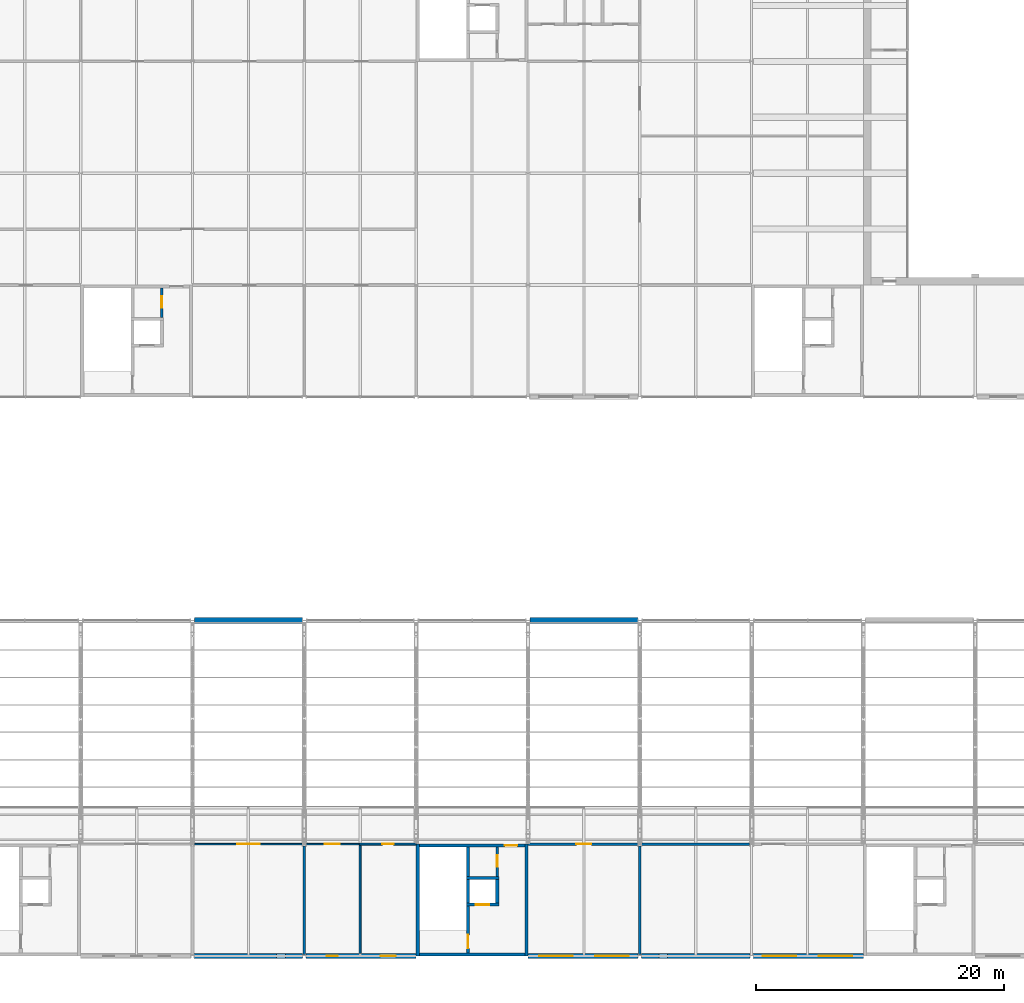
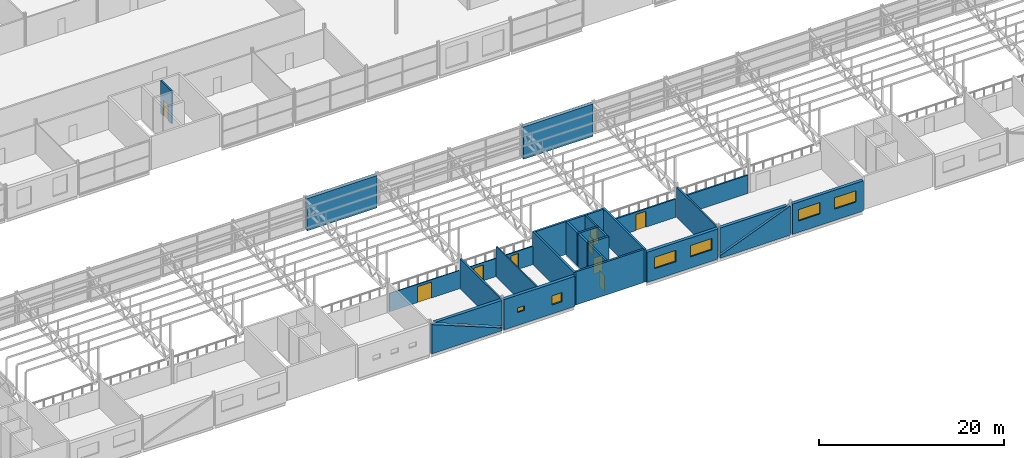
# One storey, part 115 of 138: 27 walls, 9 doors, 6 windows, 15 openings.
"""IFC4 building model written with IfcOpenShell, lengths in metres."""

import ifcopenshell
import ifcopenshell.guid

model = None  # the IFC model being written
_history = None  # IfcOwnerHistory: only IFC2X3 demands one
_inside = {}  # id of a spatial element -> (the spatial element, [elements in it])
_under = {}  # id of a project, library or spatial element -> (it, [spatial elements below it])
_declared = {}  # id of a project -> (the project, [libraries it declares])
_typed = {}  # id of a type object -> (the type object, [elements of that type])
_made_of = {}  # id of a material, layer set ... -> (it, [elements and type objects made of it])


def new_model(schema):
    """Start an empty IFC model of exactly this schema.

    Asked for "IFC4X3", IfcOpenShell would pick the latest addendum, in which some entities
    have other attributes; the version numbers below select the first issue.
    IFC2X3 requires an IfcOwnerHistory on every rooted entity: one is made here for all.
    """
    global model, _history
    if schema == "IFC4X3":
        model = ifcopenshell.file(schema_version=(4, 3, 0, 0))
    else:
        model = ifcopenshell.file(schema=schema)
    _inside.clear()
    _under.clear()
    _declared.clear()
    _typed.clear()
    _made_of.clear()
    _history = None
    if model.schema == "IFC2X3":
        org = make("IfcOrganization", Name="unknown")
        user = make(
            "IfcPersonAndOrganization",
            ThePerson=make("IfcPerson", FamilyName="unknown"),
            TheOrganization=org,
        )
        app = make(
            "IfcApplication",
            ApplicationDeveloper=org,
            Version="unknown",
            ApplicationFullName="unknown",
            ApplicationIdentifier="unknown",
        )
        _history = make(
            "IfcOwnerHistory",
            OwningUser=user,
            OwningApplication=app,
            ChangeAction="ADDED",
            CreationDate=0,
        )
    return model


def make(cls, **values):
    """One entity of the class cls with the attributes given. An attribute that is None is left unset."""
    return model.create_entity(
        cls, **{name: value for name, value in values.items() if value is not None}
    )


def rooted(cls, **values):
    """An entity with a GlobalId (a new one), such as an element, a storey or a relation."""
    return make(cls, GlobalId=ifcopenshell.guid.new(), OwnerHistory=_history, **values)


def si_unit(unit_type, name, prefix=None):
    """IfcSIUnit, for example si_unit("LENGTHUNIT", "METRE", prefix="MILLI")."""
    return make("IfcSIUnit", UnitType=unit_type, Prefix=prefix, Name=name)


def assignment(units):
    """IfcUnitAssignment: the units of a project."""
    return None if units is None else make("IfcUnitAssignment", Units=units)


def point(xyz):
    """IfcCartesianPoint."""
    return None if xyz is None else make("IfcCartesianPoint", Coordinates=xyz)


def direction(xyz):
    """IfcDirection."""
    return None if xyz is None else make("IfcDirection", DirectionRatios=xyz)


def frame(location, z_axis=None, x_axis=None):
    """IfcAxis2Placement3D, a coordinate frame: its origin and axes. An axis left out is left unset."""
    return make(
        "IfcAxis2Placement3D",
        Location=point(location),
        Axis=direction(z_axis),
        RefDirection=direction(x_axis),
    )


def frame_2d(location, x_axis=None):
    """IfcAxis2Placement2D, a coordinate frame in the plane: its origin and x axis."""
    return make(
        "IfcAxis2Placement2D", Location=point(location), RefDirection=direction(x_axis)
    )


def origin():
    """The frame at (0, 0, 0) with its axes left unset."""
    return frame((0.0, 0.0, 0.0))


def place(relative_to, where):
    """IfcLocalPlacement: puts the frame where relative to a parent placement (None: the world)."""
    return make(
        "IfcLocalPlacement", PlacementRelTo=relative_to, RelativePlacement=where
    )


def context(
    kind, dimensions, precision=None, world=None, true_north=None, identifier=None
):
    """IfcGeometricRepresentationContext, for example the 3D "Model" context."""
    return make(
        "IfcGeometricRepresentationContext",
        ContextIdentifier=identifier,
        ContextType=kind,
        CoordinateSpaceDimension=dimensions,
        Precision=precision,
        WorldCoordinateSystem=world,
        TrueNorth=true_north,
    )


def subcontext(parent, identifier, kind, view, scale=None):
    """IfcGeometricRepresentationSubContext, for example "Body" below "Model"."""
    return make(
        "IfcGeometricRepresentationSubContext",
        ContextIdentifier=identifier,
        ContextType=kind,
        ParentContext=parent,
        TargetScale=scale,
        TargetView=view,
    )


def project(units=None, contexts=None):
    """IfcProject with its units and contexts."""
    return rooted(
        "IfcProject",
        Name="project",
        RepresentationContexts=contexts,
        UnitsInContext=assignment(units),
    )


def spatial(cls, under=None, at=None, **own):
    """A site, building, storey or space (cls), placed at a placement, below another one or the project."""
    s = rooted(cls, ObjectPlacement=at, **own)
    if under is not None:
        _under.setdefault(under.id(), (under, []))[1].append(s)
    return s


def polyline(points):
    """IfcPolyline through the points."""
    return make("IfcPolyline", Points=[point(p) for p in points])


def profile(cls, at=None, kind="AREA", **sizes):
    """A parametric profile (cls). Its sizes go by their IFC names, for example OverallWidth=200.0."""
    return make(cls, ProfileType=kind, Position=at, **sizes)


def rectangle(**sizes):
    """IfcRectangleProfileDef."""
    return profile("IfcRectangleProfileDef", **sizes)


def outline(outer, holes=None, kind="AREA"):
    """IfcArbitraryClosedProfileDef: a profile drawn as a closed curve; with holes, ...WithVoids."""
    if holes is None:
        return make("IfcArbitraryClosedProfileDef", ProfileType=kind, OuterCurve=outer)
    return make(
        "IfcArbitraryProfileDefWithVoids",
        ProfileType=kind,
        OuterCurve=outer,
        InnerCurves=holes,
    )


def extrude(swept, where, along, depth):
    """IfcExtrudedAreaSolid: the profile swept, set in the frame where, extruded along a direction by depth."""
    return make(
        "IfcExtrudedAreaSolid",
        SweptArea=swept,
        Position=where,
        ExtrudedDirection=direction(along),
        Depth=depth,
    )


def shape(context_of_items, identifier, shape_type, items):
    """IfcShapeRepresentation: the items that make up one representation, for example the "Body"."""
    return make(
        "IfcShapeRepresentation",
        ContextOfItems=context_of_items,
        RepresentationIdentifier=identifier,
        RepresentationType=shape_type,
        Items=items,
    )


def material(Name=None, Category=None):
    """IfcMaterial."""
    return make("IfcMaterial", Name=Name, Category=Category)


def layer(
    of_material, thickness, ventilated=None, Name=None, Category=None, Priority=None
):
    """IfcMaterialLayer: one layer of a wall or slab, of a material (None: an air gap)."""
    return make(
        "IfcMaterialLayer",
        Material=of_material,
        LayerThickness=thickness,
        IsVentilated=ventilated,
        Name=Name,
        Category=Category,
        Priority=Priority,
    )


def layer_set(layers, Name=None):
    """IfcMaterialLayerSet."""
    return make("IfcMaterialLayerSet", MaterialLayers=layers, LayerSetName=Name)


def made_of(thing, what):
    """Note that an element or type object is made of a material, layer set ...; save() writes the relation."""
    if what is not None:
        _made_of.setdefault(what.id(), (what, []))[1].append(thing)
    return thing


def type_object(cls, material=None, **own):
    """A type object (cls), such as IfcWallType, which elements share."""
    return made_of(rooted(cls, **own), material)


def element(
    cls,
    number,
    at=None,
    inside=None,
    cuts=None,
    type_object=None,
    material=None,
    context=None,
    identifier="Body",
    shape_type=None,
    held_by="IfcProductDefinitionShape",
    body=None,
    shapes=None,
    **own,
):
    """One element of the class cls, such as IfcWall. Its Tag is "e" and its number.

    at: its placement. inside: the storey or other place that contains it. cuts: it is an
    opening in that element (IfcRelVoidsElement). A single representation is given by context,
    identifier, shape_type and body (its items); several are given by shapes. held_by: the class
    of the entity that holds the representations. save() writes the other relations.
    """
    e = rooted(cls, Tag="e%d" % number, ObjectPlacement=at, **own)
    if body is not None:
        shapes = [shape(context, identifier, shape_type, body)]
    if shapes is not None:
        e.Representation = make(held_by, Representations=shapes)
    if inside is not None:
        _inside.setdefault(inside.id(), (inside, []))[1].append(e)
    if cuts is not None:
        rooted(
            "IfcRelVoidsElement", RelatingBuildingElement=cuts, RelatedOpeningElement=e
        )
    if type_object is not None:
        _typed.setdefault(type_object.id(), (type_object, []))[1].append(e)
    return made_of(e, material)


def fill(opening, filler):
    """IfcRelFillsElement: the door or window that sits in an opening."""
    return rooted(
        "IfcRelFillsElement",
        RelatingOpeningElement=opening,
        RelatedBuildingElement=filler,
    )


def aggregate(whole, parts):
    """IfcRelAggregates: a whole, such as a stair, and the parts it consists of."""
    return rooted("IfcRelAggregates", RelatingObject=whole, RelatedObjects=parts)


def save(model, path):
    """Write the relations noted so far, then the file.

    IfcRelAggregates (storeys below a building ...), IfcRelContainedInSpatialStructure (elements
    in a storey), IfcRelDefinesByType, IfcRelAssociatesMaterial and IfcRelDeclares: one each for
    every whole, place, type object, material and project.
    """
    for whole, parts in _under.values():
        aggregate(whole, parts)
    for where, things in _inside.values():
        rooted(
            "IfcRelContainedInSpatialStructure",
            RelatedElements=things,
            RelatingStructure=where,
        )
    for kind, things in _typed.values():
        rooted("IfcRelDefinesByType", RelatedObjects=things, RelatingType=kind)
    for what, things in _made_of.values():
        rooted("IfcRelAssociatesMaterial", RelatedObjects=things, RelatingMaterial=what)
    for by, libraries in _declared.values():
        rooted("IfcRelDeclares", RelatingContext=by, RelatedDefinitions=libraries)
    model.write(path)


model = new_model("IFC4")

# Units and contexts
model_context = context("Model", 3, precision=1e-05, world=origin(), true_north=direction((0.0, 1.0)))
body_context = subcontext(model_context, "Body", "Model", "MODEL_VIEW")
ifc_project = project(units=[si_unit("LENGTHUNIT", "METRE"), si_unit("AREAUNIT", "SQUARE_METRE"), si_unit("VOLUMEUNIT", "CUBIC_METRE"), si_unit("PLANEANGLEUNIT", "RADIAN"), si_unit("MASSUNIT", "GRAM", prefix="KILO")], contexts=[model_context])

# Site, building, storey
site_placement = place(None, origin())
site = spatial("IfcSite", under=ifc_project, at=site_placement, CompositionType="ELEMENT")
building_placement = place(site_placement, origin())
building = spatial("IfcBuilding", under=site, at=building_placement, Name="Corbel Yard City Hall", CompositionType="ELEMENT")
storey_placement = place(building_placement, frame((0.0, 0.0, 10.5)))
storey = spatial("IfcBuildingStorey", under=building, at=storey_placement, Name="L02", CompositionType="ELEMENT", Elevation=10.5)

# Walls
ifc_material_1 = material(Name="Concrete N50 (50 MPa)", Category="concrete")
ifc_layer_1 = layer(ifc_material_1, 0.25)
ifc_layer_set_1 = layer_set([ifc_layer_1], Name="Concrete N50 (50 MPa)")
wall_type_1 = type_object("IfcWallType", Name="Core cell wall 250", PredefinedType="SHEAR", material=ifc_layer_set_1)
for number, where, z_axis, x_axis, name in (
    (1, (81.125, 0.0, 0.0), (0.0, 0.0, 1.0), (0.0, 1.0, 0.0), "Core PC-S2 west wall"),
    (2, (89.875, 0.0, 0.0), (0.0, 0.0, 1.0), (0.0, 1.0, 0.0), "Core PC-S2 east wall"),
):
    element("IfcWall", number, at=place(storey_placement, frame(where, z_axis=z_axis, x_axis=x_axis)), inside=storey, type_object=wall_type_1, Name=name, PredefinedType="SHEAR", context=body_context, shape_type="SweptSolid", body=[
        extrude(rectangle(XDim=9.0, YDim=0.25, at=frame_2d((4.5, 0.0))), origin(), (0.0, 0.0, 1.0), 4.35009765625),
    ])
wall_1_placement = place(storey_placement, frame((81.25, 0.125, 0.0), z_axis=(0.0, 0.0, 1.0), x_axis=(1.0, 0.0, 0.0)))
element("IfcWall", 3, at=wall_1_placement, inside=storey, type_object=wall_type_1, Name="Core PC-S2 south wall", PredefinedType="SHEAR", context=body_context, shape_type="SweptSolid", body=[
    extrude(rectangle(XDim=8.5, YDim=0.25, at=frame_2d((4.25, 0.0))), origin(), (0.0, 0.0, 1.0), 4.35009765625),
])

# Wall, opening, door
wall_2_placement = place(storey_placement, frame((81.25, 8.875, 0.0), z_axis=(0.0, 0.0, 1.0), x_axis=(1.0, 0.0, 0.0)))
wall_2 = element("IfcWall", 4, at=wall_2_placement, inside=storey, type_object=wall_type_1, Name="Core PC-S2 north wall", PredefinedType="SHEAR", context=body_context, shape_type="SweptSolid", body=[
    extrude(rectangle(XDim=8.5, YDim=0.25, at=frame_2d((4.25, 0.0))), origin(), (0.0, 0.0, 1.0), 4.35009765625),
])
opening_1_placement = place(wall_2_placement, frame((6.887451171875, 0.0, 0.0)))
opening_1 = element("IfcOpeningElement", 5, at=opening_1_placement, cuts=wall_2, Name="Opening L02-021", PredefinedType="OPENING", context=body_context, shape_type="SweptSolid", body=[
    extrude(rectangle(XDim=1.0, YDim=2.10009765625, at=frame_2d((0.5, 1.050048828125))), frame((0.0, 0.135009765625, 0.0), z_axis=(0.0, -1.0, 0.0), x_axis=(1.0, 0.0, 0.0)), (0.0, 0.0, 1.0), 0.27001953125),
])
ifc_material_2 = material(Name="Steel Grade G250", Category="steel")
door_type_1 = type_object("IfcDoorType", Name="FS1", OperationType="SINGLE_SWING_LEFT", PredefinedType="DOOR", material=ifc_material_2)
door_1_placement = place(opening_1_placement, frame((1.0, 0.0, 0.0), z_axis=(0.0, 0.0, 1.0), x_axis=(-1.0, 0.0, 0.0)))
door_1 = element("IfcDoor", 6, at=door_1_placement, inside=storey, type_object=door_type_1, Name="Door Lift Lobby", OperationType="SINGLE_SWING_RIGHT", OverallHeight=2.10009765625, OverallWidth=1.0, PredefinedType="DOOR", context=body_context, shape_type="SweptSolid", body=[
    extrude(rectangle(XDim=1.0, YDim=2.10009765625, at=frame_2d((0.5, 1.050048828125))), frame((0.0, 0.02490234375, 0.0), z_axis=(0.0, -1.0, 0.0), x_axis=(1.0, 0.0, 0.0)), (0.0, 0.0, 1.0), 0.050048828125),
])
fill(opening_1, door_1)

# Walls
ifc_material_3 = material(Name="Sandstone cladding", Category="masonry")
ifc_layer_2 = layer(ifc_material_3, 0.06005859375)
ifc_material_4 = material(Name="Air cavity", Category="air")
ifc_layer_3 = layer(ifc_material_4, 0.0400390625)
ifc_material_5 = material(Name="Concrete N40 (40 MPa)", Category="concrete")
ifc_layer_4 = layer(ifc_material_5, 0.25)
ifc_material_6 = material(Name="Mineral wool", Category="insulation")
ifc_layer_5 = layer(ifc_material_6, 0.10009765625)
ifc_layer_set_2 = layer_set([ifc_layer_2, ifc_layer_3, ifc_layer_4, ifc_layer_5], Name="Concrete N40 (40 MPa)")
wall_type_2 = type_object("IfcWallType", Name="EW2", PredefinedType="SOLIDWALL", material=ifc_layer_set_2)
for number, where, z_axis, x_axis, name in (
    (7, (63.154052734375, 27.0, -0.14990234375), (0.0, 0.0, 1.0), (1.0, 0.0, 0.0), "Entrance pier wall"),
    (8, (90.154052734375, 27.0, -0.14990234375), (0.0, 0.0, 1.0), (1.0, 0.0, 0.0), "Entrance pier wall"),
):
    element("IfcWall", number, at=place(storey_placement, frame(where, z_axis=z_axis, x_axis=x_axis)), inside=storey, type_object=wall_type_2, Name=name, PredefinedType="SOLIDWALL", context=body_context, shape_type="SweptSolid", body=[
        extrude(rectangle(XDim=8.69189453125, YDim=0.449951171875, at=frame_2d((4.345947265625, 0.0))), origin(), (0.0, 0.0, 1.0), 4.271484375),
    ])
ifc_material_7 = material(Name="Gypsum plasterboard", Category="gypsum")
ifc_layer_6 = layer(ifc_material_7, 0.031982421875)
ifc_layer_7 = layer(ifc_material_4, 0.133056640625)
ifc_material_8 = material(Name="Concrete block", Category="concrete")
ifc_layer_8 = layer(ifc_material_8, 0.18994140625)
ifc_material_9 = material(Name="Cement render", Category="render")
ifc_layer_9 = layer(ifc_material_9, 0.0400390625)
ifc_material_10 = material(Name="Acoustic sealant", Category="sealant")
ifc_layer_10 = layer(ifc_material_10, 0.0048828125)
ifc_layer_set_3 = layer_set([ifc_layer_6, ifc_layer_7, ifc_layer_8, ifc_layer_9, ifc_layer_10], Name="Concrete block")
wall_type_3 = type_object("IfcWallType", Name="EW3", PredefinedType="SOLIDWALL", material=ifc_layer_set_3)
wall_3_placement = place(storey_placement, frame((63.126953125, 0.0, 0.0), z_axis=(0.0, 0.0, 1.0), x_axis=(1.0, 0.0, 0.0)))
element("IfcWall", 9, at=wall_3_placement, inside=storey, type_object=wall_type_3, Name="Acoustic wall", PredefinedType="SOLIDWALL", context=body_context, shape_type="SweptSolid", body=[
    extrude(outline(polyline([(8.74609375, 0.0), (0.0, 0.0), (0.0, 3.8603515625), (8.69775390625, 0.379638671875), (8.74609375, 0.5), (8.74609375, 0.0)])), frame((0.0, 0.199951171875, 0.0), z_axis=(0.0, -1.0, 0.0), x_axis=(1.0, 0.0, 0.0)), (0.0, 0.0, 1.0), 0.39990234375),
])
wall_4_placement = place(storey_placement, frame((63.126953125, 0.0, 0.0), z_axis=(0.0, 0.0, 1.0), x_axis=(1.0, 0.0, 0.0)))
element("IfcWall", 10, at=wall_4_placement, inside=storey, type_object=wall_type_3, Name="Acoustic wall", PredefinedType="SOLIDWALL", context=body_context, shape_type="SweptSolid", body=[
    extrude(outline(polyline([(8.74609375, 3.990966796875), (8.74609375, 0.6396484375), (0.37109375, 3.990966796875), (8.74609375, 3.990966796875)])), frame((0.0, 0.199951171875, 0.0), z_axis=(0.0, -1.0, 0.0), x_axis=(1.0, 0.0, 0.0)), (0.0, 0.0, 1.0), 0.39990234375),
])

# Wall, openings, windows
wall_5_placement = place(storey_placement, frame((72.126953125, 0.0, 0.0), z_axis=(0.0, 0.0, 1.0), x_axis=(1.0, 0.0, 0.0)))
wall_5 = element("IfcWall", 11, at=wall_5_placement, inside=storey, type_object=wall_type_3, Name="Acoustic wall", PredefinedType="SOLIDWALL", context=body_context, shape_type="SweptSolid", body=[
    extrude(rectangle(XDim=8.873046875, YDim=0.39990234375, at=frame_2d((4.4365234375, 0.0))), origin(), (0.0, 0.0, 1.0), 3.990966796875),
])
opening_2_placement = place(wall_5_placement, frame((1.673095703125, 0.0, 1.699951171875)))
opening_2 = element("IfcOpeningElement", 12, at=opening_2_placement, cuts=wall_5, Name="Opening WN10", PredefinedType="OPENING", context=body_context, shape_type="SweptSolid", body=[
    extrude(rectangle(XDim=0.89990234375, YDim=0.60009765625, at=frame_2d((0.449951171875, 0.300048828125))), frame((0.0, 0.2099609375, 0.0), z_axis=(0.0, -1.0, 0.0), x_axis=(1.0, 0.0, 0.0)), (0.0, 0.0, 1.0), 0.419921875),
])
opening_3_placement = place(wall_5_placement, frame((6.02294921875, 0.0, 1.199951171875)))
opening_3 = element("IfcOpeningElement", 13, at=opening_3_placement, cuts=wall_5, Name="Opening WN13", PredefinedType="OPENING", context=body_context, shape_type="SweptSolid", body=[
    extrude(rectangle(XDim=1.199951171875, YDim=1.199951171875, at=frame_2d((0.60009765625, 0.60009765625))), frame((0.0, 0.2099609375, 0.0), z_axis=(0.0, -1.0, 0.0), x_axis=(1.0, 0.0, 0.0)), (0.0, 0.0, 1.0), 0.419921875),
])
ifc_material_11 = material(Name="Aluminium frame, obscure laminated glass", Category="aluminium")
window_type_1 = type_object("IfcWindowType", Name="WN10", PartitioningType="SINGLE_PANEL", PredefinedType="WINDOW", material=ifc_material_11)
window_1_placement = place(opening_2_placement, origin())
window_1 = element("IfcWindow", 14, at=window_1_placement, inside=storey, type_object=window_type_1, Name="Window WN10 L02", OverallHeight=0.60009765625, OverallWidth=0.89990234375, PartitioningType="SINGLE_PANEL", PredefinedType="WINDOW", context=body_context, shape_type="SweptSolid", body=[
    extrude(rectangle(XDim=0.89990234375, YDim=0.60009765625, at=frame_2d((0.449951171875, 0.300048828125))), frame((0.0, 0.030029296875, 0.0), z_axis=(0.0, -1.0, 0.0), x_axis=(1.0, 0.0, 0.0)), (0.0, 0.0, 1.0), 0.06005859375),
])
fill(opening_2, window_1)
ifc_material_12 = material(Name="Aluminium frame, double glazed low-e glass", Category="aluminium")
window_type_2 = type_object("IfcWindowType", Name="WN13", PartitioningType="SINGLE_PANEL", PredefinedType="WINDOW", material=ifc_material_12)
window_2_placement = place(opening_3_placement, origin())
window_2 = element("IfcWindow", 15, at=window_2_placement, inside=storey, type_object=window_type_2, Name="Window WN13 L02", OverallHeight=1.199951171875, OverallWidth=1.199951171875, PartitioningType="SINGLE_PANEL", PredefinedType="WINDOW", context=body_context, shape_type="SweptSolid", body=[
    extrude(rectangle(XDim=1.199951171875, YDim=1.199951171875, at=frame_2d((0.60009765625, 0.60009765625))), frame((0.0, 0.030029296875, 0.0), z_axis=(0.0, -1.0, 0.0), x_axis=(1.0, 0.0, 0.0)), (0.0, 0.0, 1.0), 0.06005859375),
])
fill(opening_3, window_2)

wall_6_placement = place(storey_placement, frame((90.0, 0.0, 0.0), z_axis=(0.0, 0.0, 1.0), x_axis=(1.0, 0.0, 0.0)))
wall_6 = element("IfcWall", 16, at=wall_6_placement, inside=storey, type_object=wall_type_3, Name="Acoustic wall", PredefinedType="SOLIDWALL", context=body_context, shape_type="SweptSolid", body=[
    extrude(rectangle(XDim=8.873046875, YDim=0.39990234375, at=frame_2d((4.4365234375, 0.0))), origin(), (0.0, 0.0, 1.0), 3.990966796875),
])
opening_4_placement = place(wall_6_placement, frame((0.89990234375, 0.0, 1.5)))
opening_4 = element("IfcOpeningElement", 17, at=opening_4_placement, cuts=wall_6, Name="Opening WN3", PredefinedType="OPENING", context=body_context, shape_type="SweptSolid", body=[
    extrude(rectangle(XDim=2.699951171875, YDim=1.5, at=frame_2d((1.35009765625, 0.75))), frame((0.0, 0.2099609375, 0.0), z_axis=(0.0, -1.0, 0.0), x_axis=(1.0, 0.0, 0.0)), (0.0, 0.0, 1.0), 0.419921875),
])
opening_5_placement = place(wall_6_placement, frame((5.39990234375, 0.0, 1.5)))
opening_5 = element("IfcOpeningElement", 18, at=opening_5_placement, cuts=wall_6, Name="Opening WN3", PredefinedType="OPENING", context=body_context, shape_type="SweptSolid", body=[
    extrude(rectangle(XDim=2.699951171875, YDim=1.5, at=frame_2d((1.35009765625, 0.75))), frame((0.0, 0.2099609375, 0.0), z_axis=(0.0, -1.0, 0.0), x_axis=(1.0, 0.0, 0.0)), (0.0, 0.0, 1.0), 0.419921875),
])
ifc_material_13 = material(Name="Aluminium frame, laminated acoustic glass", Category="aluminium")
window_type_3 = type_object("IfcWindowType", Name="WN3", PartitioningType="SINGLE_PANEL", PredefinedType="WINDOW", material=ifc_material_13)
window_3_placement = place(opening_4_placement, origin())
window_3 = element("IfcWindow", 19, at=window_3_placement, inside=storey, type_object=window_type_3, Name="Window WN3 L02", OverallHeight=1.5, OverallWidth=2.699951171875, PartitioningType="SINGLE_PANEL", PredefinedType="WINDOW", context=body_context, shape_type="SweptSolid", body=[
    extrude(rectangle(XDim=2.699951171875, YDim=1.5, at=frame_2d((1.35009765625, 0.75))), frame((0.0, 0.030029296875, 0.0), z_axis=(0.0, -1.0, 0.0), x_axis=(1.0, 0.0, 0.0)), (0.0, 0.0, 1.0), 0.06005859375),
])
fill(opening_4, window_3)
window_4_placement = place(opening_5_placement, origin())
window_4 = element("IfcWindow", 20, at=window_4_placement, inside=storey, type_object=window_type_3, Name="Window WN3 L02", OverallHeight=1.5, OverallWidth=2.699951171875, PartitioningType="SINGLE_PANEL", PredefinedType="WINDOW", context=body_context, shape_type="SweptSolid", body=[
    extrude(rectangle(XDim=2.699951171875, YDim=1.5, at=frame_2d((1.35009765625, 0.75))), frame((0.0, 0.030029296875, 0.0), z_axis=(0.0, -1.0, 0.0), x_axis=(1.0, 0.0, 0.0)), (0.0, 0.0, 1.0), 0.06005859375),
])
fill(opening_5, window_4)

# Walls
wall_7_placement = place(storey_placement, frame((99.126953125, 0.0, 0.0), z_axis=(0.0, 0.0, 1.0), x_axis=(1.0, 0.0, 0.0)))
element("IfcWall", 21, at=wall_7_placement, inside=storey, type_object=wall_type_3, Name="Acoustic wall", PredefinedType="SOLIDWALL", context=body_context, shape_type="SweptSolid", body=[
    extrude(outline(polyline([(8.74609375, 0.0), (0.0, 0.0), (0.0, 0.5), (0.048095703125, 0.379638671875), (8.74609375, 3.8603515625), (8.74609375, 0.0)])), frame((0.0, 0.199951171875, 0.0), z_axis=(0.0, -1.0, 0.0), x_axis=(1.0, 0.0, 0.0)), (0.0, 0.0, 1.0), 0.39990234375),
])
wall_8_placement = place(storey_placement, frame((99.126953125, 0.0, 0.0), z_axis=(0.0, 0.0, 1.0), x_axis=(1.0, 0.0, 0.0)))
element("IfcWall", 22, at=wall_8_placement, inside=storey, type_object=wall_type_3, Name="Acoustic wall", PredefinedType="SOLIDWALL", context=body_context, shape_type="SweptSolid", body=[
    extrude(outline(polyline([(0.0, 3.990966796875), (8.374755859375, 3.990966796875), (0.0, 0.6396484375), (0.0, 3.990966796875)])), frame((0.0, 0.199951171875, 0.0), z_axis=(0.0, -1.0, 0.0), x_axis=(1.0, 0.0, 0.0)), (0.0, 0.0, 1.0), 0.39990234375),
])

# Wall, openings, windows
wall_9_placement = place(storey_placement, frame((108.126953125, 0.0, 0.0), z_axis=(0.0, 0.0, 1.0), x_axis=(1.0, 0.0, 0.0)))
wall_9 = element("IfcWall", 23, at=wall_9_placement, inside=storey, type_object=wall_type_3, Name="Acoustic wall", PredefinedType="SOLIDWALL", context=body_context, shape_type="SweptSolid", body=[
    extrude(rectangle(XDim=8.873046875, YDim=0.39990234375, at=frame_2d((4.4365234375, 0.0))), origin(), (0.0, 0.0, 1.0), 3.990966796875),
])
opening_6_placement = place(wall_9_placement, frame((0.77294921875, 0.0, 1.5)))
opening_6 = element("IfcOpeningElement", 24, at=opening_6_placement, cuts=wall_9, Name="Opening WN3", PredefinedType="OPENING", context=body_context, shape_type="SweptSolid", body=[
    extrude(rectangle(XDim=2.699951171875, YDim=1.5, at=frame_2d((1.35009765625, 0.75))), frame((0.0, 0.2099609375, 0.0), z_axis=(0.0, -1.0, 0.0), x_axis=(1.0, 0.0, 0.0)), (0.0, 0.0, 1.0), 0.419921875),
])
opening_7_placement = place(wall_9_placement, frame((5.27294921875, 0.0, 1.5)))
opening_7 = element("IfcOpeningElement", 25, at=opening_7_placement, cuts=wall_9, Name="Opening WN3", PredefinedType="OPENING", context=body_context, shape_type="SweptSolid", body=[
    extrude(rectangle(XDim=2.699951171875, YDim=1.5, at=frame_2d((1.35009765625, 0.75))), frame((0.0, 0.2099609375, 0.0), z_axis=(0.0, -1.0, 0.0), x_axis=(1.0, 0.0, 0.0)), (0.0, 0.0, 1.0), 0.419921875),
])
window_5_placement = place(opening_6_placement, origin())
window_5 = element("IfcWindow", 26, at=window_5_placement, inside=storey, type_object=window_type_3, Name="Window WN3 L02", OverallHeight=1.5, OverallWidth=2.699951171875, PartitioningType="SINGLE_PANEL", PredefinedType="WINDOW", context=body_context, shape_type="SweptSolid", body=[
    extrude(rectangle(XDim=2.699951171875, YDim=1.5, at=frame_2d((1.35009765625, 0.75))), frame((0.0, 0.030029296875, 0.0), z_axis=(0.0, -1.0, 0.0), x_axis=(1.0, 0.0, 0.0)), (0.0, 0.0, 1.0), 0.06005859375),
])
fill(opening_6, window_5)
window_6_placement = place(opening_7_placement, origin())
window_6 = element("IfcWindow", 27, at=window_6_placement, inside=storey, type_object=window_type_3, Name="Window WN3 L02", OverallHeight=1.5, OverallWidth=2.699951171875, PartitioningType="SINGLE_PANEL", PredefinedType="WINDOW", context=body_context, shape_type="SweptSolid", body=[
    extrude(rectangle(XDim=2.699951171875, YDim=1.5, at=frame_2d((1.35009765625, 0.75))), frame((0.0, 0.030029296875, 0.0), z_axis=(0.0, -1.0, 0.0), x_axis=(1.0, 0.0, 0.0)), (0.0, 0.0, 1.0), 0.06005859375),
])
fill(opening_7, window_6)

# Wall, opening, door
ifc_layer_11 = layer(ifc_material_5, 0.25)
ifc_layer_set_4 = layer_set([ifc_layer_11], Name="Concrete N40 (40 MPa)")
wall_type_4 = type_object("IfcWallType", Name="IW2", PredefinedType="SOLIDWALL", material=ifc_layer_set_4)
wall_10_placement = place(storey_placement, frame((85.175048828125, 0.25, 0.0), z_axis=(0.0, 0.0, 1.0), x_axis=(0.0, 1.0, 0.0)))
wall_10 = element("IfcWall", 28, at=wall_10_placement, inside=storey, type_object=wall_type_4, Name="Stair enclosure wall", PredefinedType="SOLIDWALL", context=body_context, shape_type="SweptSolid", body=[
    extrude(rectangle(XDim=8.5, YDim=0.25, at=frame_2d((4.25, 0.0))), origin(), (0.0, 0.0, 1.0), 4.35009765625),
])
opening_8_placement = place(wall_10_placement, frame((0.35009765625, 0.0, 0.0)))
opening_8 = element("IfcOpeningElement", 29, at=opening_8_placement, cuts=wall_10, Name="Opening L02-020", PredefinedType="OPENING", context=body_context, shape_type="SweptSolid", body=[
    extrude(rectangle(XDim=1.10009765625, YDim=2.10009765625, at=frame_2d((0.550048828125, 1.050048828125))), frame((0.0, 0.135009765625, 0.0), z_axis=(0.0, -1.0, 0.0), x_axis=(1.0, 0.0, 0.0)), (0.0, 0.0, 1.0), 0.27001953125),
])
door_type_2 = type_object("IfcDoorType", Name="FS11", OperationType="SINGLE_SWING_LEFT", PredefinedType="DOOR", material=ifc_material_2)
door_2_placement = place(opening_8_placement, origin())
door_2 = element("IfcDoor", 30, at=door_2_placement, inside=storey, type_object=door_type_2, Name="Door Exit Stair 3", OperationType="SINGLE_SWING_LEFT", OverallHeight=2.10009765625, OverallWidth=1.10009765625, PredefinedType="DOOR", context=body_context, shape_type="SweptSolid", body=[
    extrude(rectangle(XDim=1.10009765625, YDim=2.10009765625, at=frame_2d((0.550048828125, 1.050048828125))), frame((0.0, 0.02490234375, 0.0), z_axis=(0.0, -1.0, 0.0), x_axis=(1.0, 0.0, 0.0)), (0.0, 0.0, 1.0), 0.050048828125),
])
fill(opening_8, door_2)

wall_11_placement = place(storey_placement, frame((85.050048828125, 4.125, 0.0), z_axis=(0.0, 0.0, 1.0), x_axis=(1.0, 0.0, 0.0)))
wall_11 = element("IfcWall", 31, at=wall_11_placement, inside=storey, type_object=wall_type_4, Name="Lift LP3 shaft wall", PredefinedType="SOLIDWALL", context=body_context, shape_type="SweptSolid", body=[
    extrude(rectangle(XDim=2.599853515625, YDim=0.25, at=frame_2d((1.2998046875, 0.0))), origin(), (0.0, 0.0, 1.0), 4.35009765625),
])
opening_9_placement = place(wall_11_placement, frame((0.75, 0.0, 0.0)))
opening_9 = element("IfcOpeningElement", 32, at=opening_9_placement, cuts=wall_11, Name="Opening L02-003", PredefinedType="OPENING", context=body_context, shape_type="SweptSolid", body=[
    extrude(rectangle(XDim=1.10009765625, YDim=2.10009765625, at=frame_2d((0.550048828125, 1.050048828125))), frame((0.0, 0.135009765625, 0.0), z_axis=(0.0, -1.0, 0.0), x_axis=(1.0, 0.0, 0.0)), (0.0, 0.0, 1.0), 0.27001953125),
])
ifc_material_14 = material(Name="Stainless steel Grade 316", Category="steel")
door_type_3 = type_object("IfcDoorType", Name="LD1", OperationType="DOUBLE_DOOR_SLIDING", PredefinedType="DOOR", material=ifc_material_14)
door_3_placement = place(opening_9_placement, origin())
door_3 = element("IfcDoor", 33, at=door_3_placement, inside=storey, type_object=door_type_3, Name="Lift LP3 landing door", OperationType="DOUBLE_DOOR_SLIDING", OverallHeight=2.10009765625, OverallWidth=1.10009765625, PredefinedType="DOOR", context=body_context, shape_type="SweptSolid", body=[
    extrude(rectangle(XDim=1.10009765625, YDim=2.10009765625, at=frame_2d((0.550048828125, 1.050048828125))), frame((0.0, 0.02490234375, 0.0), z_axis=(0.0, -1.0, 0.0), x_axis=(1.0, 0.0, 0.0)), (0.0, 0.0, 1.0), 0.050048828125),
])
fill(opening_9, door_3)

# Walls
wall_12_placement = place(storey_placement, frame((85.050048828125, 6.27490234375, 0.0), z_axis=(0.0, 0.0, 1.0), x_axis=(1.0, 0.0, 0.0)))
element("IfcWall", 34, at=wall_12_placement, inside=storey, type_object=wall_type_4, Name="Lift LP3 shaft wall", PredefinedType="SOLIDWALL", context=body_context, shape_type="SweptSolid", body=[
    extrude(rectangle(XDim=2.599853515625, YDim=0.25, at=frame_2d((1.2998046875, 0.0))), origin(), (0.0, 0.0, 1.0), 4.35009765625),
])
wall_13_placement = place(storey_placement, frame((87.52490234375, 4.25, 0.0), z_axis=(0.0, 0.0, 1.0), x_axis=(0.0, 1.0, 0.0)))
element("IfcWall", 35, at=wall_13_placement, inside=storey, type_object=wall_type_4, Name="Lift LP3 shaft wall", PredefinedType="SOLIDWALL", context=body_context, shape_type="SweptSolid", body=[
    extrude(rectangle(XDim=1.89990234375, YDim=0.25, at=frame_2d((0.949951171875, 0.0))), origin(), (0.0, 0.0, 1.0), 4.35009765625),
])

# Wall, opening, door
ifc_layer_12 = layer(ifc_material_7, 0.028076171875)
ifc_material_15 = material(Name="Steel Grade G550 (550 MPa yield)", Category="steel")
ifc_layer_13 = layer(ifc_material_15, 0.06396484375)
ifc_layer_14 = layer(ifc_material_7, 0.028076171875)
ifc_layer_set_5 = layer_set([ifc_layer_12, ifc_layer_13, ifc_layer_14], Name="Steel Grade G550 (550 MPa yield)")
wall_type_5 = type_object("IfcWallType", Name="PT1", PredefinedType="PARTITIONING", material=ifc_layer_set_5)
wall_14_placement = place(storey_placement, frame((63.154052734375, 9.0, 0.0), z_axis=(0.0, 0.0, 1.0), x_axis=(1.0, 0.0, 0.0)))
wall_14 = element("IfcWall", 36, at=wall_14_placement, inside=storey, type_object=wall_type_5, Name="Partition", PredefinedType="PARTITIONING", context=body_context, shape_type="SweptSolid", body=[
    extrude(rectangle(XDim=8.69189453125, YDim=0.1201171875, at=frame_2d((4.345947265625, 0.0))), origin(), (0.0, 0.0, 1.0), 2.414306640625),
])
opening_10_placement = place(wall_14_placement, frame((3.446044921875, 0.0, 0.0)))
opening_10 = element("IfcOpeningElement", 37, at=opening_10_placement, cuts=wall_14, Name="Opening L02-032", PredefinedType="OPENING", context=body_context, shape_type="SweptSolid", body=[
    extrude(rectangle(XDim=1.800048828125, YDim=2.10009765625, at=frame_2d((0.89990234375, 1.050048828125))), frame((0.0, 0.070068359375, 0.0), z_axis=(0.0, -1.0, 0.0), x_axis=(1.0, 0.0, 0.0)), (0.0, 0.0, 1.0), 0.14013671875),
])
ifc_material_16 = material(Name="Timber", Category="wood")
door_type_4 = type_object("IfcDoorType", Name="D3", OperationType="DOUBLE_DOOR_SINGLE_SWING", PredefinedType="DOOR", material=ifc_material_16)
door_4_placement = place(opening_10_placement, origin())
door_4 = element("IfcDoor", 38, at=door_4_placement, inside=storey, type_object=door_type_4, Name="Door Men's WC Block", OperationType="DOUBLE_DOOR_SINGLE_SWING", OverallHeight=2.10009765625, OverallWidth=1.800048828125, PredefinedType="DOOR", context=body_context, shape_type="SweptSolid", body=[
    extrude(rectangle(XDim=1.800048828125, YDim=2.10009765625, at=frame_2d((0.89990234375, 1.050048828125))), frame((0.0, 0.02490234375, 0.0), z_axis=(0.0, -1.0, 0.0), x_axis=(1.0, 0.0, 0.0)), (0.0, 0.0, 1.0), 0.050048828125),
])
fill(opening_10, door_4)

wall_15_placement = place(storey_placement, frame((72.154052734375, 9.0, 0.0), z_axis=(0.0, 0.0, 1.0), x_axis=(1.0, 0.0, 0.0)))
wall_15 = element("IfcWall", 39, at=wall_15_placement, inside=storey, type_object=wall_type_5, Name="Partition", PredefinedType="PARTITIONING", context=body_context, shape_type="SweptSolid", body=[
    extrude(rectangle(XDim=4.265869140625, YDim=0.1201171875, at=frame_2d((2.1328125, 0.0))), origin(), (0.0, 0.0, 1.0), 2.414306640625),
])
opening_11_placement = place(wall_15_placement, frame((1.49609375, 0.0, 0.0)))
opening_11 = element("IfcOpeningElement", 40, at=opening_11_placement, cuts=wall_15, Name="Opening L02-033", PredefinedType="OPENING", context=body_context, shape_type="SweptSolid", body=[
    extrude(rectangle(XDim=1.199951171875, YDim=2.10009765625, at=frame_2d((0.60009765625, 1.050048828125))), frame((0.0, 0.070068359375, 0.0), z_axis=(0.0, -1.0, 0.0), x_axis=(1.0, 0.0, 0.0)), (0.0, 0.0, 1.0), 0.14013671875),
])
door_type_5 = type_object("IfcDoorType", Name="D7", OperationType="SINGLE_SWING_LEFT", PredefinedType="DOOR", material=ifc_material_16)
door_5_placement = place(opening_11_placement, frame((1.199951171875, 0.0, 0.0), z_axis=(0.0, 0.0, 1.0), x_axis=(-1.0, 0.0, 0.0)))
door_5 = element("IfcDoor", 41, at=door_5_placement, inside=storey, type_object=door_type_5, Name="Door Accessible WC Suite", OperationType="SINGLE_SWING_RIGHT", OverallHeight=2.10009765625, OverallWidth=1.199951171875, PredefinedType="DOOR", context=body_context, shape_type="SweptSolid", body=[
    extrude(rectangle(XDim=1.199951171875, YDim=2.10009765625, at=frame_2d((0.60009765625, 1.050048828125))), frame((0.0, 0.02490234375, 0.0), z_axis=(0.0, -1.0, 0.0), x_axis=(1.0, 0.0, 0.0)), (0.0, 0.0, 1.0), 0.050048828125),
])
fill(opening_11, door_5)

ifc_layer_15 = layer(ifc_material_7, 0.031982421875)
ifc_layer_16 = layer(ifc_material_15, 0.135986328125)
ifc_layer_17 = layer(ifc_material_7, 0.031982421875)
ifc_layer_set_6 = layer_set([ifc_layer_15, ifc_layer_16, ifc_layer_17], Name="Steel Grade G550 (550 MPa yield)")
wall_type_6 = type_object("IfcWallType", Name="PT2", PredefinedType="PARTITIONING", material=ifc_layer_set_6)
wall_16_placement = place(storey_placement, frame((90.0, 9.0, 0.0), z_axis=(0.0, 0.0, 1.0), x_axis=(1.0, 0.0, 0.0)))
wall_16 = element("IfcWall", 42, at=wall_16_placement, inside=storey, type_object=wall_type_6, Name="Acoustic wall", PredefinedType="PARTITIONING", context=body_context, shape_type="SweptSolid", body=[
    extrude(rectangle(XDim=8.845947265625, YDim=0.199951171875, at=frame_2d((4.4228515625, 0.0))), origin(), (0.0, 0.0, 1.0), 2.414306640625),
])
opening_12_placement = place(wall_16_placement, frame((3.89990234375, 0.0, 0.0)))
opening_12 = element("IfcOpeningElement", 43, at=opening_12_placement, cuts=wall_16, Name="Opening L02-035", PredefinedType="OPENING", context=body_context, shape_type="SweptSolid", body=[
    extrude(rectangle(XDim=1.199951171875, YDim=2.10009765625, at=frame_2d((0.60009765625, 1.050048828125))), frame((0.0, 0.10986328125, 0.0), z_axis=(0.0, -1.0, 0.0), x_axis=(1.0, 0.0, 0.0)), (0.0, 0.0, 1.0), 0.219970703125),
])
door_6_placement = place(opening_12_placement, frame((1.199951171875, 0.0, 0.0), z_axis=(0.0, 0.0, 1.0), x_axis=(-1.0, 0.0, 0.0)))
door_6 = element("IfcDoor", 44, at=door_6_placement, inside=storey, type_object=door_type_5, Name="Door Training Room 2", OperationType="SINGLE_SWING_LEFT", OverallHeight=2.10009765625, OverallWidth=1.199951171875, PredefinedType="DOOR", context=body_context, shape_type="SweptSolid", body=[
    extrude(rectangle(XDim=1.199951171875, YDim=2.10009765625, at=frame_2d((0.60009765625, 1.050048828125))), frame((0.0, 0.02490234375, 0.0), z_axis=(0.0, -1.0, 0.0), x_axis=(1.0, 0.0, 0.0)), (0.0, 0.0, 1.0), 0.050048828125),
])
fill(opening_12, door_6)

# Walls
wall_17_placement = place(storey_placement, frame((99.154052734375, 9.0, 0.0), z_axis=(0.0, 0.0, 1.0), x_axis=(1.0, 0.0, 0.0)))
element("IfcWall", 45, at=wall_17_placement, inside=storey, type_object=wall_type_6, Name="Acoustic wall", PredefinedType="PARTITIONING", context=body_context, shape_type="SweptSolid", body=[
    extrude(rectangle(XDim=8.69189453125, YDim=0.199951171875, at=frame_2d((4.345947265625, 0.0))), origin(), (0.0, 0.0, 1.0), 2.414306640625),
])
wall_18_placement = place(storey_placement, frame((99.0, 0.126953125, 0.0), z_axis=(0.0, 0.0, 1.0), x_axis=(0.0, 1.0, 0.0)))
element("IfcWall", 46, at=wall_18_placement, inside=storey, type_object=wall_type_6, Name="Acoustic wall", PredefinedType="PARTITIONING", context=body_context, shape_type="SweptSolid", body=[
    extrude(rectangle(XDim=8.718994140625, YDim=0.199951171875, at=frame_2d((4.359375, 0.0))), origin(), (0.0, 0.0, 1.0), 3.998046875),
])

# Wall, opening, door
ifc_layer_18 = layer(ifc_material_7, 0.031982421875)
ifc_layer_19 = layer(ifc_material_15, 0.095947265625)
ifc_layer_20 = layer(ifc_material_7, 0.031982421875)
ifc_layer_set_7 = layer_set([ifc_layer_18, ifc_layer_19, ifc_layer_20], Name="Steel Grade G550 (550 MPa yield)")
wall_type_7 = type_object("IfcWallType", Name="PT3", PredefinedType="PARTITIONING", material=ifc_layer_set_7)
wall_19_placement = place(storey_placement, frame((76.419921875, 9.0, 0.0), z_axis=(0.0, 0.0, 1.0), x_axis=(1.0, 0.0, 0.0)))
wall_19 = element("IfcWall", 47, at=wall_19_placement, inside=storey, type_object=wall_type_7, Name="Fire-resisting wall", PredefinedType="PARTITIONING", context=body_context, shape_type="SweptSolid", body=[
    extrude(rectangle(XDim=4.580078125, YDim=0.159912109375, at=frame_2d((2.2900390625, 0.0))), origin(), (0.0, 0.0, 1.0), 2.414306640625),
])
opening_13_placement = place(wall_19_placement, frame((1.8701171875, 0.0, 0.0)))
opening_13 = element("IfcOpeningElement", 48, at=opening_13_placement, cuts=wall_19, Name="Opening L02-034", PredefinedType="OPENING", context=body_context, shape_type="SweptSolid", body=[
    extrude(rectangle(XDim=0.919921875, YDim=2.10009765625, at=frame_2d((0.4599609375, 1.050048828125))), frame((0.0, 0.08984375, 0.0), z_axis=(0.0, -1.0, 0.0), x_axis=(1.0, 0.0, 0.0)), (0.0, 0.0, 1.0), 0.179931640625),
])
door_type_6 = type_object("IfcDoorType", Name="FD5", OperationType="SINGLE_SWING_RIGHT", PredefinedType="DOOR", material=ifc_material_2)
door_7_placement = place(opening_13_placement, frame((0.919921875, 0.0, 0.0), z_axis=(0.0, 0.0, 1.0), x_axis=(-1.0, 0.0, 0.0)))
door_7 = element("IfcDoor", 49, at=door_7_placement, inside=storey, type_object=door_type_6, Name="Door Cleaners' Store and Service Room", OperationType="SINGLE_SWING_RIGHT", OverallHeight=2.10009765625, OverallWidth=0.919921875, PredefinedType="DOOR", context=body_context, shape_type="SweptSolid", body=[
    extrude(rectangle(XDim=0.919921875, YDim=2.10009765625, at=frame_2d((0.4599609375, 1.050048828125))), frame((0.0, 0.02490234375, 0.0), z_axis=(0.0, -1.0, 0.0), x_axis=(1.0, 0.0, 0.0)), (0.0, 0.0, 1.0), 0.050048828125),
])
fill(opening_13, door_7)

# Wall
wall_20_placement = place(storey_placement, frame((76.5, 0.199951171875, 0.0), z_axis=(0.0, 0.0, 1.0), x_axis=(0.0, 1.0, 0.0)))
element("IfcWall", 50, at=wall_20_placement, inside=storey, type_object=wall_type_7, Name="Fire-resisting wall", PredefinedType="PARTITIONING", context=body_context, shape_type="SweptSolid", body=[
    extrude(rectangle(XDim=8.719970703125, YDim=0.159912109375, at=frame_2d((4.35986328125, 0.0))), origin(), (0.0, 0.0, 1.0), 3.990966796875),
])

# Wall, opening, door
ifc_material_17 = material(Name="Concrete block", Category="concrete")
ifc_layer_21 = layer(ifc_material_17, 0.18994140625)
ifc_layer_set_8 = layer_set([ifc_layer_21], Name="Concrete block")
wall_type_8 = type_object("IfcWallType", Name="PT4", PredefinedType="PARTITIONING", material=ifc_layer_set_8)
wall_21_placement = place(storey_placement, frame((87.52490234375, 6.39990234375, 0.0), z_axis=(0.0, 0.0, 1.0), x_axis=(0.0, 1.0, 0.0)))
wall_21 = element("IfcWall", 51, at=wall_21_placement, inside=storey, type_object=wall_type_8, Name="Fire-resisting block wall", PredefinedType="PARTITIONING", context=body_context, shape_type="SweptSolid", body=[
    extrude(rectangle(XDim=2.35009765625, YDim=0.18994140625, at=frame_2d((1.175048828125, 0.0))), origin(), (0.0, 0.0, 1.0), 4.35009765625),
])
opening_14_placement = place(wall_21_placement, frame((0.777587890625, 0.0, 0.0)))
opening_14 = element("IfcOpeningElement", 52, at=opening_14_placement, cuts=wall_21, Name="Opening L02-022", PredefinedType="OPENING", context=body_context, shape_type="SweptSolid", body=[
    extrude(rectangle(XDim=0.919921875, YDim=2.10009765625, at=frame_2d((0.4599609375, 1.050048828125))), frame((0.0, 0.10498046875, 0.0), z_axis=(0.0, -1.0, 0.0), x_axis=(1.0, 0.0, 0.0)), (0.0, 0.0, 1.0), 0.2099609375),
])
door_type_7 = type_object("IfcDoorType", Name="FS5", OperationType="SINGLE_SWING_RIGHT", PredefinedType="DOOR", material=ifc_material_2)
door_8_placement = place(opening_14_placement, origin())
door_8 = element("IfcDoor", 53, at=door_8_placement, inside=storey, type_object=door_type_7, Name="Door Service Riser", OperationType="SINGLE_SWING_RIGHT", OverallHeight=2.10009765625, OverallWidth=0.919921875, PredefinedType="DOOR", context=body_context, shape_type="SweptSolid", body=[
    extrude(rectangle(XDim=0.919921875, YDim=2.10009765625, at=frame_2d((0.4599609375, 1.050048828125))), frame((0.0, 0.02490234375, 0.0), z_axis=(0.0, -1.0, 0.0), x_axis=(1.0, 0.0, 0.0)), (0.0, 0.0, 1.0), 0.050048828125),
])
fill(opening_14, door_8)

wall_22_placement = place(storey_placement, frame((60.52490234375, 51.39990234375, 0.0), z_axis=(0.0, 0.0, 1.0), x_axis=(0.0, 1.0, 0.0)))
wall_22 = element("IfcWall", 54, at=wall_22_placement, inside=storey, type_object=wall_type_8, Name="Fire-resisting block wall", PredefinedType="PARTITIONING", context=body_context, shape_type="SweptSolid", body=[
    extrude(rectangle(XDim=2.35009765625, YDim=0.18994140625, at=frame_2d((1.175048828125, 0.0))), origin(), (0.0, 0.0, 1.0), 4.35009765625),
])
opening_15_placement = place(wall_22_placement, frame((0.777587890625, 0.0, 0.0)))
opening_15 = element("IfcOpeningElement", 55, at=opening_15_placement, cuts=wall_22, Name="Opening L02-061", PredefinedType="OPENING", context=body_context, shape_type="SweptSolid", body=[
    extrude(rectangle(XDim=0.919921875, YDim=2.10009765625, at=frame_2d((0.4599609375, 1.050048828125))), frame((0.0, 0.10498046875, 0.0), z_axis=(0.0, -1.0, 0.0), x_axis=(1.0, 0.0, 0.0)), (0.0, 0.0, 1.0), 0.2099609375),
])
door_9_placement = place(opening_15_placement, origin())
door_9 = element("IfcDoor", 56, at=door_9_placement, inside=storey, type_object=door_type_7, Name="Door Service Riser", OperationType="SINGLE_SWING_RIGHT", OverallHeight=2.10009765625, OverallWidth=0.919921875, PredefinedType="DOOR", context=body_context, shape_type="SweptSolid", body=[
    extrude(rectangle(XDim=0.919921875, YDim=2.10009765625, at=frame_2d((0.4599609375, 1.050048828125))), frame((0.0, 0.02490234375, 0.0), z_axis=(0.0, -1.0, 0.0), x_axis=(1.0, 0.0, 0.0)), (0.0, 0.0, 1.0), 0.050048828125),
])
fill(opening_15, door_9)

# Wall
ifc_layer_22 = layer(ifc_material_7, 0.031982421875)
ifc_layer_23 = layer(ifc_material_15, 0.156005859375)
ifc_layer_24 = layer(ifc_material_7, 0.031982421875)
ifc_layer_set_9 = layer_set([ifc_layer_22, ifc_layer_23, ifc_layer_24], Name="Steel Grade G550 (550 MPa yield)")
wall_type_9 = type_object("IfcWallType", Name="PT5", PredefinedType="PLUMBINGWALL", material=ifc_layer_set_9)
wall_23_placement = place(storey_placement, frame((72.0, 0.126953125, 0.0), z_axis=(0.0, 0.0, 1.0), x_axis=(0.0, 1.0, 0.0)))
element("IfcWall", 57, at=wall_23_placement, inside=storey, type_object=wall_type_9, Name="Wet wall", PredefinedType="PLUMBINGWALL", context=body_context, shape_type="SweptSolid", body=[
    extrude(rectangle(XDim=8.718994140625, YDim=0.219970703125, at=frame_2d((4.359375, 0.0))), origin(), (0.0, 0.0, 1.0), 3.998046875),
])

save(model, "model.ifc")
